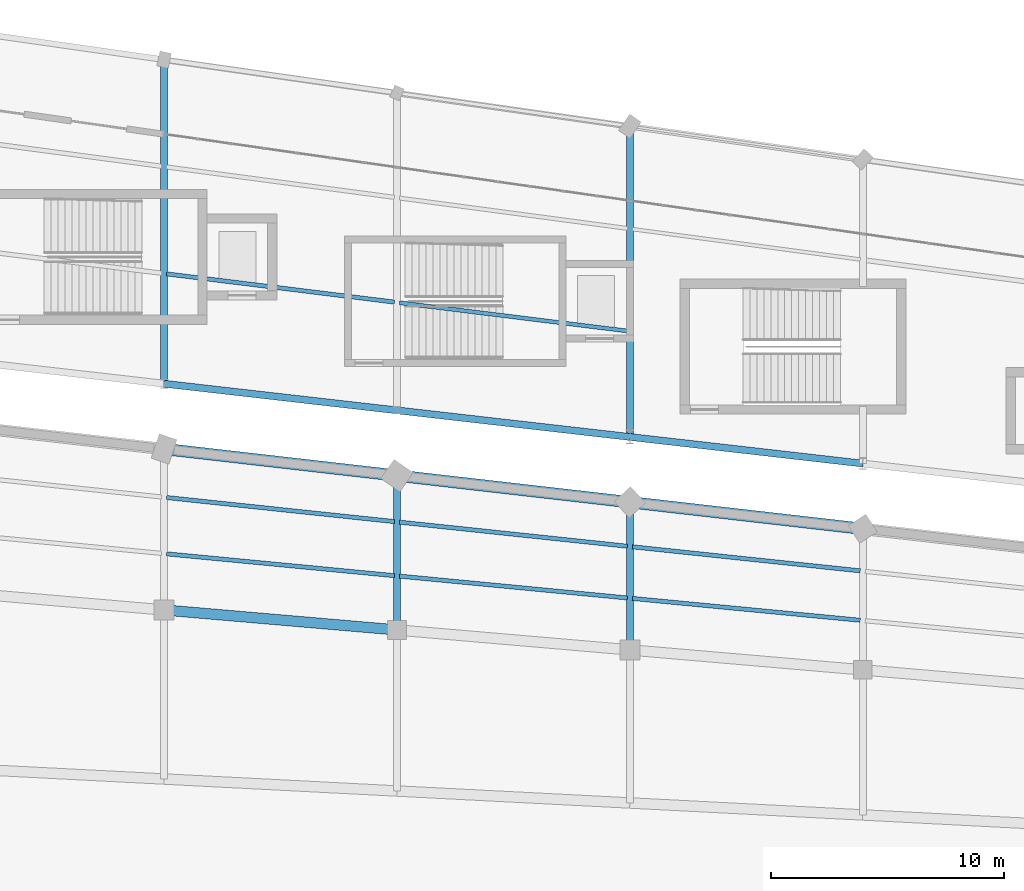
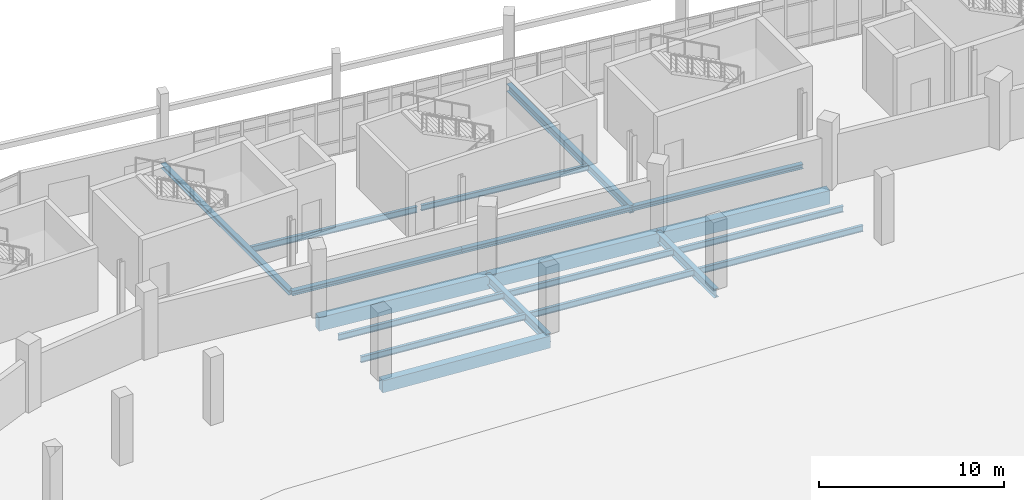
# One storey, part 59 of 122: 19 beams.
"""IFC4 building model written with IfcOpenShell, lengths in metres."""

from ifc_helpers import new_model, si_unit, direction, frame, origin, origin_2d, place, context, subcontext, project, spatial, rectangle, i_section, extrude, material, material_profile, profile_set, type_object, element, save


model = new_model("IFC4")

# Units and contexts
model_context = context("Model", 3, precision=1e-05, world=origin(), true_north=direction((0.0, 1.0)))
body_context = subcontext(model_context, "Body", "Model", "MODEL_VIEW")
ifc_project = project(units=[si_unit("LENGTHUNIT", "METRE"), si_unit("AREAUNIT", "SQUARE_METRE"), si_unit("VOLUMEUNIT", "CUBIC_METRE"), si_unit("PLANEANGLEUNIT", "RADIAN"), si_unit("MASSUNIT", "GRAM", prefix="KILO")], contexts=[model_context])

# Site, building, storey
site_placement = place(None, origin())
site = spatial("IfcSite", under=ifc_project, at=site_placement, CompositionType="ELEMENT")
building_placement = place(site_placement, origin())
building = spatial("IfcBuilding", under=site, at=building_placement, Name="Sohan Crest Arena", CompositionType="ELEMENT")
storey_placement = place(building_placement, origin())
storey = spatial("IfcBuildingStorey", under=building, at=storey_placement, Name="L00", CompositionType="ELEMENT", Elevation=0.0)

# Beams
ifc_material_1 = material(Name="Steel S355", Category="steel")
ifc_material_profile_1 = material_profile(ifc_material_1, i_section(OverallWidth=0.169921875, OverallDepth=0.360107421875, WebThickness=0.008056640625, FlangeThickness=0.0126953125, at=origin_2d()), Name="IPE 360")
ifc_profile_set_1 = profile_set([ifc_material_profile_1], Name="Steel S355")
beam_type_1 = type_object("IfcBeamType", Name="STR-BM-B02", PredefinedType="JOIST", material=ifc_profile_set_1)
beam_1_placement = place(storey_placement, frame((127.89111328125, 112.922119140625, -0.455078125), z_axis=(-0.992412936892, 0.122949431435, 0.0), x_axis=(-0.122949431435, -0.992412936892, 0.0)))
element("IfcBeam", 1, at=beam_1_placement, inside=storey, type_object=beam_type_1, Name="Structural beam J-L00-1077", PredefinedType="JOIST", context=body_context, shape_type="SweptSolid", body=[
    extrude(i_section(OverallWidth=0.169921875, OverallDepth=0.360107421875, WebThickness=0.008056640625, FlangeThickness=0.0126953125, at=origin_2d()), origin(), (0.0, 0.0, 1.0), 9.85693359375),
])
ifc_material_profile_2 = material_profile(ifc_material_1, i_section(OverallWidth=0.179931640625, OverallDepth=0.39990234375, WebThickness=0.008544921875, FlangeThickness=0.013427734375, at=origin_2d()), Name="IPE 400")
ifc_profile_set_2 = profile_set([ifc_material_profile_2], Name="Steel S355")
beam_type_2 = type_object("IfcBeamType", Name="STR-BM-B03", PredefinedType="JOIST", material=ifc_profile_set_2)
beam_2_placement = place(storey_placement, frame((137.89111328125, 100.5009765625, -0.449951171875), z_axis=(-0.995434302208, 0.095449201085, 0.0), x_axis=(-0.095449201085, -0.995434302208, 0.0)))
element("IfcBeam", 2, at=beam_2_placement, inside=storey, type_object=beam_type_2, Name="Structural beam J-L00-0728", PredefinedType="JOIST", context=body_context, shape_type="SweptSolid", body=[
    extrude(i_section(OverallWidth=0.179931640625, OverallDepth=0.39990234375, WebThickness=0.008544921875, FlangeThickness=0.013427734375, at=origin_2d()), origin(), (0.0, 0.0, 1.0), 9.8271484375),
])
beam_3_placement = place(storey_placement, frame((137.89111328125, 102.6240234375, -0.449951171875), z_axis=(-0.994481354784, 0.104913464278, 0.0), x_axis=(-0.104913464278, -0.994481354784, 0.0)))
element("IfcBeam", 3, at=beam_3_placement, inside=storey, type_object=beam_type_2, Name="Structural beam J-L00-0729", PredefinedType="JOIST", context=body_context, shape_type="SweptSolid", body=[
    extrude(i_section(OverallWidth=0.179931640625, OverallDepth=0.39990234375, WebThickness=0.008544921875, FlangeThickness=0.013427734375, at=origin_2d()), origin(), (0.0, 0.0, 1.0), 9.83642578125),
])
beam_4_placement = place(storey_placement, frame((127.89111328125, 101.458984375, -0.449951171875), z_axis=(-0.995443739336, 0.095350730547, 0.0), x_axis=(-0.095350730547, -0.995443739336, 0.0)))
element("IfcBeam", 4, at=beam_4_placement, inside=storey, type_object=beam_type_2, Name="Structural beam J-L00-0750", PredefinedType="JOIST", context=body_context, shape_type="SweptSolid", body=[
    extrude(i_section(OverallWidth=0.179931640625, OverallDepth=0.39990234375, WebThickness=0.008544921875, FlangeThickness=0.013427734375, at=origin_2d()), origin(), (0.0, 0.0, 1.0), 9.826904296875),
])
beam_5_placement = place(storey_placement, frame((127.89111328125, 103.679931640625, -0.449951171875), z_axis=(-0.994458024707, 0.105134376377, 0.0), x_axis=(-0.105134376377, -0.994458024707, 0.0)))
element("IfcBeam", 5, at=beam_5_placement, inside=storey, type_object=beam_type_2, Name="Structural beam J-L00-0751", PredefinedType="JOIST", context=body_context, shape_type="SweptSolid", body=[
    extrude(i_section(OverallWidth=0.179931640625, OverallDepth=0.39990234375, WebThickness=0.008544921875, FlangeThickness=0.013427734375, at=origin_2d()), origin(), (0.0, 0.0, 1.0), 9.836669921875),
])
beam_6_placement = place(storey_placement, frame((117.89111328125, 102.416015625, -0.449951171875), z_axis=(-0.995443739336, 0.095350730547, 0.0), x_axis=(-0.095350730547, -0.995443739336, 0.0)))
element("IfcBeam", 6, at=beam_6_placement, inside=storey, type_object=beam_type_2, Name="Structural beam J-L00-0772", PredefinedType="JOIST", context=body_context, shape_type="SweptSolid", body=[
    extrude(i_section(OverallWidth=0.179931640625, OverallDepth=0.39990234375, WebThickness=0.008544921875, FlangeThickness=0.013427734375, at=origin_2d()), origin(), (0.0, 0.0, 1.0), 9.826904296875),
])
beam_7_placement = place(storey_placement, frame((117.89111328125, 104.738037109375, -0.449951171875), z_axis=(-0.994470991784, 0.105011649352, 0.0), x_axis=(-0.105011649352, -0.994470991784, 0.0)))
element("IfcBeam", 7, at=beam_7_placement, inside=storey, type_object=beam_type_2, Name="Structural beam J-L00-0773", PredefinedType="JOIST", context=body_context, shape_type="SweptSolid", body=[
    extrude(i_section(OverallWidth=0.179931640625, OverallDepth=0.39990234375, WebThickness=0.008544921875, FlangeThickness=0.013427734375, at=origin_2d()), origin(), (0.0, 0.0, 1.0), 9.836669921875),
])
beam_8_placement = place(storey_placement, frame((117.89111328125, 114.162109375, -0.47509765625), z_axis=(-0.992412936892, 0.122949431435, 0.0), x_axis=(-0.122949431435, -0.992412936892, 0.0)))
element("IfcBeam", 8, at=beam_8_placement, inside=storey, type_object=beam_type_2, Name="Structural beam J-L00-1083", PredefinedType="JOIST", context=body_context, shape_type="SweptSolid", body=[
    extrude(i_section(OverallWidth=0.179931640625, OverallDepth=0.39990234375, WebThickness=0.008544921875, FlangeThickness=0.013427734375, at=origin_2d()), origin(), (0.0, 0.0, 1.0), 9.85693359375),
])
ifc_material_profile_3 = material_profile(ifc_material_1, i_section(OverallWidth=0.300048828125, OverallDepth=0.590087890625, WebThickness=0.012939453125, FlangeThickness=0.02490234375, at=origin_2d()), Name="HEA 600")
ifc_profile_set_3 = profile_set([ifc_material_profile_3], Name="Steel S355")
beam_type_3 = type_object("IfcBeamType", Name="STR-BM-B11", PredefinedType="BEAM", material=ifc_profile_set_3)
beam_9_placement = place(storey_placement, frame((128.0, 99.22900390625, -0.544921875), z_axis=(0.0, 1.0, 0.0), x_axis=(-1.0, 0.0, 0.0)))
element("IfcBeam", 9, at=beam_9_placement, inside=storey, type_object=beam_type_3, Name="Structural beam G-L00-0749", PredefinedType="BEAM", context=body_context, shape_type="SweptSolid", body=[
    extrude(i_section(OverallWidth=0.300048828125, OverallDepth=0.590087890625, WebThickness=0.012939453125, FlangeThickness=0.02490234375, at=origin_2d()), origin(), (0.0, 0.0, 1.0), 6.342041015625),
])
beam_10_placement = place(storey_placement, frame((118.0, 100.0859375, -0.544921875), z_axis=(0.0, 1.0, 0.0), x_axis=(-1.0, 0.0, 0.0)))
element("IfcBeam", 10, at=beam_10_placement, inside=storey, type_object=beam_type_3, Name="Structural beam G-L00-0771", PredefinedType="BEAM", context=body_context, shape_type="SweptSolid", body=[
    extrude(i_section(OverallWidth=0.300048828125, OverallDepth=0.590087890625, WebThickness=0.012939453125, FlangeThickness=0.02490234375, at=origin_2d()), origin(), (0.0, 0.0, 1.0), 6.628173828125),
])
ifc_material_profile_4 = material_profile(ifc_material_1, i_section(OverallWidth=0.300048828125, OverallDepth=0.300048828125, WebThickness=0.010986328125, FlangeThickness=0.01904296875, at=origin_2d()), Name="HEB 300")
ifc_profile_set_4 = profile_set([ifc_material_profile_4], Name="Steel S355")
beam_type_4 = type_object("IfcBeamType", Name="STR-BM-B12", PredefinedType="BEAM", material=ifc_profile_set_4)
beam_11_placement = place(storey_placement, frame((138.0, 107.22900390625, -0.425048828125), z_axis=(-0.993541269973, 0.113471339378, 0.0), x_axis=(-0.113471339378, -0.993541269973, 0.0)))
element("IfcBeam", 11, at=beam_11_placement, inside=storey, type_object=beam_type_4, Name="Structural beam G-L00-1069", PredefinedType="BEAM", context=body_context, shape_type="SweptSolid", body=[
    extrude(i_section(OverallWidth=0.300048828125, OverallDepth=0.300048828125, WebThickness=0.010986328125, FlangeThickness=0.01904296875, at=origin_2d()), origin(), (0.0, 0.0, 1.0), 10.06494140625),
])
for number, where, z_axis, x_axis, name in (
    (12, (128.0, 108.37109375, -0.425048828125), (-0.993533063564, 0.113543170668, 0.0), (-0.113543170668, -0.993533063564, 0.0), "Structural beam G-L00-1074"),
    (13, (118.0, 109.513916015625, -0.425048828125), (-0.99353032697, 0.113567114035, 0.0), (-0.113567114035, -0.99353032697, 0.0), "Structural beam G-L00-1080"),
):
    element("IfcBeam", number, at=place(storey_placement, frame(where, z_axis=z_axis, x_axis=x_axis)), inside=storey, type_object=beam_type_4, Name=name, PredefinedType="BEAM", context=body_context, shape_type="SweptSolid", body=[
        extrude(i_section(OverallWidth=0.300048828125, OverallDepth=0.300048828125, WebThickness=0.010986328125, FlangeThickness=0.01904296875, at=origin_2d()), origin(), (0.0, 0.0, 1.0), 10.065185546875),
    ])
beam_12_placement = place(storey_placement, frame((108.0, 110.656982421875, -0.425048828125), z_axis=(0.0, 1.0, 0.0), x_axis=(-1.0, 0.0, 0.0)))
element("IfcBeam", 14, at=beam_12_placement, inside=storey, type_object=beam_type_4, Name="Structural beam G-L00-1085", PredefinedType="BEAM", context=body_context, shape_type="SweptSolid", body=[
    extrude(i_section(OverallWidth=0.300048828125, OverallDepth=0.300048828125, WebThickness=0.010986328125, FlangeThickness=0.01904296875, at=origin_2d()), origin(), (0.0, 0.0, 1.0), 13.9140625),
])
ifc_material_profile_5 = material_profile(ifc_material_1, i_section(OverallWidth=0.300048828125, OverallDepth=0.5, WebThickness=0.014404296875, FlangeThickness=0.028076171875, at=origin_2d()), Name="HEB 500")
ifc_profile_set_5 = profile_set([ifc_material_profile_5], Name="Steel S355")
beam_type_5 = type_object("IfcBeamType", Name="STR-BM-B14", PredefinedType="BEAM", material=ifc_profile_set_5)
beam_13_placement = place(storey_placement, frame((128.0, 108.37109375, -0.52490234375), z_axis=(0.0, 1.0, 0.0), x_axis=(-1.0, 0.0, 0.0)))
element("IfcBeam", 15, at=beam_13_placement, inside=storey, type_object=beam_type_5, Name="Structural beam G-L00-1073", PredefinedType="BEAM", context=body_context, shape_type="SweptSolid", body=[
    extrude(i_section(OverallWidth=0.300048828125, OverallDepth=0.5, WebThickness=0.014404296875, FlangeThickness=0.028076171875, at=origin_2d()), origin(), (0.0, 0.0, 1.0), 13.343017578125),
])
ifc_material_2 = material(Name="Concrete C40/50", Category="concrete")
ifc_material_profile_6 = material_profile(ifc_material_2, rectangle(XDim=0.449951171875, YDim=0.800048828125, at=origin_2d()), Name="RC-BM 450x800")
ifc_profile_set_6 = profile_set([ifc_material_profile_6], Name="Concrete C40/50")
beam_type_6 = type_object("IfcBeamType", Name="STR-BM-TB02", PredefinedType="BEAM", material=ifc_profile_set_6)
beam_14_placement = place(storey_placement, frame((118.0, 100.0859375, -0.64990234375), z_axis=(-0.996346353353, 0.085404590982, 0.0), x_axis=(-0.085404590982, -0.996346353353, 0.0)))
element("IfcBeam", 16, at=beam_14_placement, inside=storey, type_object=beam_type_6, Name="Structural beam TB-L00-0769", PredefinedType="BEAM", context=body_context, shape_type="SweptSolid", body=[
    extrude(rectangle(XDim=0.449951171875, YDim=0.800048828125, at=origin_2d()), origin(), (0.0, 0.0, 1.0), 10.03662109375),
])
ifc_material_profile_7 = material_profile(ifc_material_2, rectangle(XDim=0.5, YDim=0.89990234375, at=origin_2d()), Name="RC-BM 500x900")
ifc_profile_set_7 = profile_set([ifc_material_profile_7], Name="Concrete C40/50")
beam_type_7 = type_object("IfcBeamType", Name="STR-BM-TB03", PredefinedType="BEAM", material=ifc_profile_set_7)
beam_15_placement = place(storey_placement, frame((138.0, 104.428955078125, -0.699951171875), z_axis=(-0.993541269973, 0.113471339378, 0.0), x_axis=(-0.113471339378, -0.993541269973, 0.0)))
element("IfcBeam", 17, at=beam_15_placement, inside=storey, type_object=beam_type_7, Name="Structural beam TB-L00-0726", PredefinedType="BEAM", context=body_context, shape_type="SweptSolid", body=[
    extrude(rectangle(XDim=0.5, YDim=0.89990234375, at=origin_2d()), origin(), (0.0, 0.0, 1.0), 10.06494140625),
])
for number, where, z_axis, x_axis, name in (
    (18, (128.0, 105.571044921875, -0.699951171875), (-0.99353032697, 0.113567114035, 0.0), (-0.113567114035, -0.99353032697, 0.0), "Structural beam TB-L00-0748"),
    (19, (118.0, 106.714111328125, -0.699951171875), (-0.993533063564, 0.113543170668, 0.0), (-0.113543170668, -0.993533063564, 0.0), "Structural beam TB-L00-0770"),
):
    element("IfcBeam", number, at=place(storey_placement, frame(where, z_axis=z_axis, x_axis=x_axis)), inside=storey, type_object=beam_type_7, Name=name, PredefinedType="BEAM", context=body_context, shape_type="SweptSolid", body=[
        extrude(rectangle(XDim=0.5, YDim=0.89990234375, at=origin_2d()), origin(), (0.0, 0.0, 1.0), 10.065185546875),
    ])

save(model, "model.ifc")
